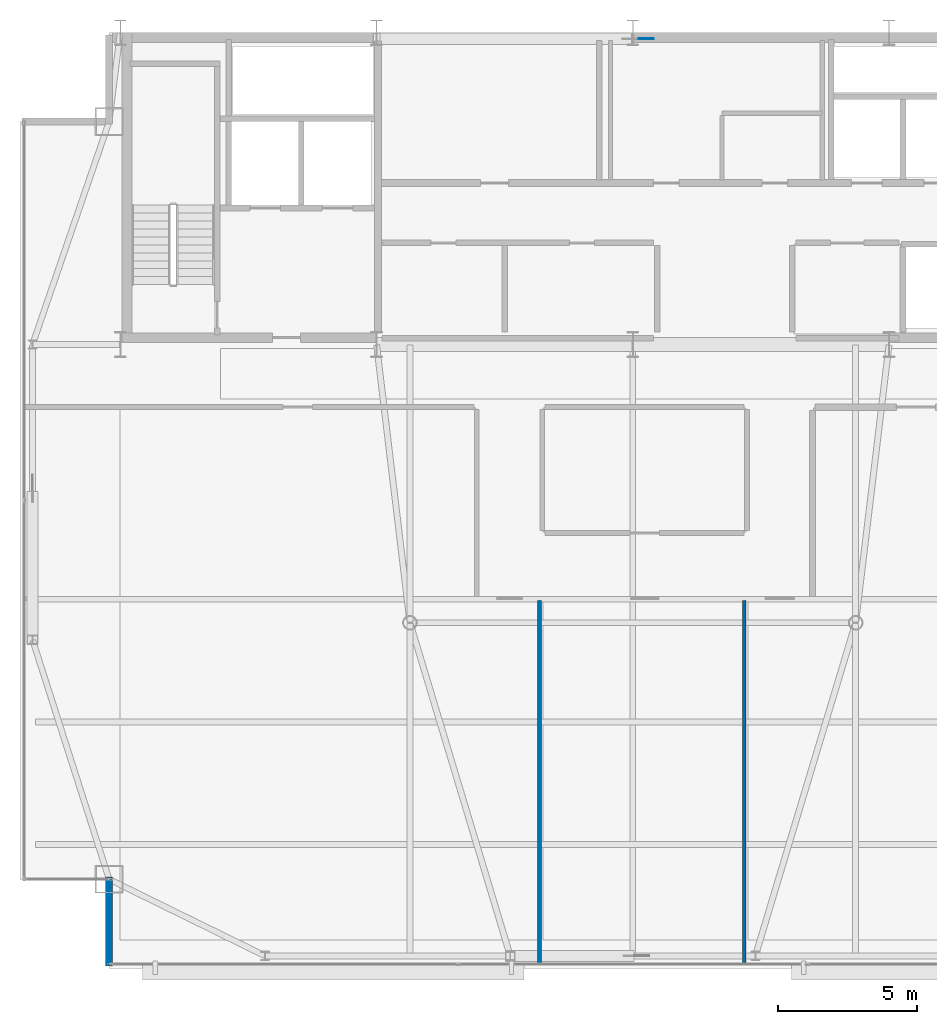
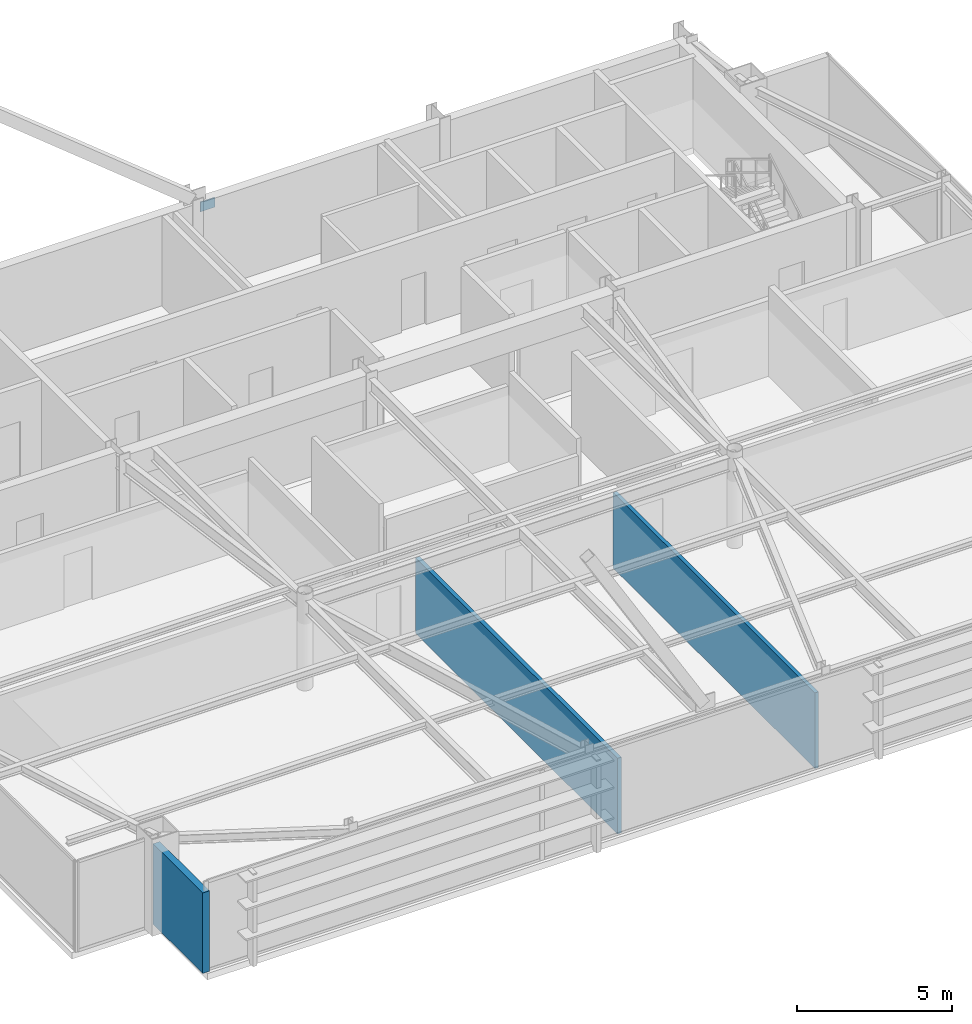
# One storey, part 20 of 24: 3 walls, 1 plate.
"""IFC4 building model written with IfcOpenShell, lengths in metres."""

from ifc_helpers import new_model, si_unit, direction, frame, frame_2d, origin, origin_2d, place, context, subcontext, project, spatial, rectangle, extrude, source, transform, mapped, material, layer, layer_set, type_object, type_shapes, element, save


model = new_model("IFC4")

# Units and contexts
model_context = context("Model", 3, precision=1e-05, world=origin(), true_north=direction((0.0, 1.0)))
body_context = subcontext(model_context, "Body", "Model", "MODEL_VIEW")
ifc_project = project(units=[si_unit("LENGTHUNIT", "METRE"), si_unit("AREAUNIT", "SQUARE_METRE"), si_unit("VOLUMEUNIT", "CUBIC_METRE"), si_unit("PLANEANGLEUNIT", "RADIAN"), si_unit("MASSUNIT", "GRAM", prefix="KILO")], contexts=[model_context])

# Site, building, storey
site_placement = place(None, origin())
site = spatial("IfcSite", under=ifc_project, at=site_placement, CompositionType="ELEMENT")
building_placement = place(site_placement, origin())
building = spatial("IfcBuilding", under=site, at=building_placement, Name="Varnel Quay Broadcast Tower", CompositionType="ELEMENT")
storey_placement = place(building_placement, frame((0.0, 0.0, 277.39990234375)))
storey = spatial("IfcBuildingStorey", under=building, at=storey_placement, Name="L69", CompositionType="ELEMENT", Elevation=277.39990234375)

# Plate
ifc_material_1 = material(Name="Structural Steel CSA G40.21 350WT", Category="steel")
ifc_layer_1 = layer(ifc_material_1, 0.031982421875, Name="Structural Steel CSA G40.21 350WT")
ifc_layer_set_1 = layer_set([ifc_layer_1], Name="Structural Steel CSA G40.21 350WT")
plate_type = type_object("IfcPlateType", Name="Plate_EndCap", PredefinedType="USERDEFINED", material=ifc_layer_set_1)
shared_shape = source(origin(), body_context, "Body", "SweptSolid", [
    extrude(rectangle(XDim=0.5400390625, YDim=0.031982421875, at=origin_2d()), origin(), (0.0, 0.0, 1.0), 0.3798828125),
])
type_shapes(plate_type, [shared_shape])
plate_placement = place(storey_placement, frame((34.475830078125, 46.580078125, 3.099609375), z_axis=(0.0, 0.0, 1.0), x_axis=(1.0, 0.0, 0.0)))
element("IfcPlate", 1, at=plate_placement, inside=storey, type_object=plate_type, Name="Zone 5 Mega-Brace N-CT2 Diag B1 End Connection Plate P1", ObjectType="CAP_PLATE", PredefinedType="USERDEFINED", context=body_context, shape_type="MappedRepresentation", body=[
    mapped(shared_shape, transform((0.0, 0.0, 0.0), x_axis=(1.0, 0.0, 0.0), y_axis=(0.0, 1.0, 0.0), z_axis=(0.0, 0.0, 1.0), scale=1.0)),
])

# Walls
ifc_material_2 = material(Name="Precast Architectural Concrete C40/50", Category="concrete")
ifc_layer_2 = layer(ifc_material_2, 0.25, Name="Precast Architectural Concrete C40/50")
ifc_layer_set_2 = layer_set([ifc_layer_2], Name="Precast Architectural Concrete C40/50")
wall_type_1 = type_object("IfcWallType", Name="Wall_ExtTerrace250", PredefinedType="SOLIDWALL", material=ifc_layer_set_2)
wall_1_placement = place(storey_placement, frame((15.199951171875, 13.280029296875, 0.0), z_axis=(0.0, 0.0, 1.0), x_axis=(0.0, 1.0, 0.0)))
element("IfcWall", 2, at=wall_1_placement, inside=storey, type_object=wall_type_1, Name="L69 Mega-Column Notch Cladding Wall NSW2", PredefinedType="SOLIDWALL", context=body_context, shape_type="SweptSolid", body=[
    extrude(rectangle(XDim=3.199951171875, YDim=0.25, at=frame_2d((1.60009765625, 0.0))), origin(), (0.0, 0.0, 1.0), 3.171142578125),
])
ifc_material_3 = material(Name="Steel-Stud Fire-Rated Acoustic Gypsum Partition Assembly", Category="steel")
ifc_layer_3 = layer(ifc_material_3, 0.139892578125, Name="Steel-Stud Fire-Rated Acoustic Gypsum Partition Assembly")
ifc_layer_set_3 = layer_set([ifc_layer_3], Name="Steel-Stud Fire-Rated Acoustic Gypsum Partition Assembly")
wall_type_2 = type_object("IfcWallType", Name="Wall_Partition140", PredefinedType="PARTITIONING", material=ifc_layer_set_3)
wall_2_placement = place(storey_placement, frame((38.0, 13.3798828125, 0.0), z_axis=(0.0, 0.0, 1.0), x_axis=(0.0, 1.0, 0.0)))
element("IfcWall", 3, at=wall_2_placement, inside=storey, type_object=wall_type_2, Name="L69 Reading Lounge 2 Partition 10", PredefinedType="PARTITIONING", context=body_context, shape_type="SweptSolid", body=[
    extrude(rectangle(XDim=13.025146484375, YDim=0.139892578125, at=frame_2d((6.5126953125, 0.0))), origin(), (0.0, 0.0, 1.0), 2.981201171875),
])
ifc_layer_4 = layer(ifc_material_3, 0.14990234375, Name="Steel-Stud Fire-Rated Acoustic Gypsum Partition Assembly")
ifc_layer_set_4 = layer_set([ifc_layer_4], Name="Steel-Stud Fire-Rated Acoustic Gypsum Partition Assembly")
wall_type_3 = type_object("IfcWallType", Name="Wall_Partition150", PredefinedType="PARTITIONING", material=ifc_layer_set_4)
wall_3_placement = place(storey_placement, frame((30.64990234375, 13.3798828125, 0.0), z_axis=(0.0, 0.0, 1.0), x_axis=(0.0, 1.0, 0.0)))
element("IfcWall", 4, at=wall_3_placement, inside=storey, type_object=wall_type_3, Name="L69 Bureau Office 1 Partition 8", PredefinedType="PARTITIONING", context=body_context, shape_type="SweptSolid", body=[
    extrude(rectangle(XDim=13.025146484375, YDim=0.14990234375, at=frame_2d((6.5126953125, 0.0))), origin(), (0.0, 0.0, 1.0), 2.981201171875),
])

save(model, "model.ifc")
